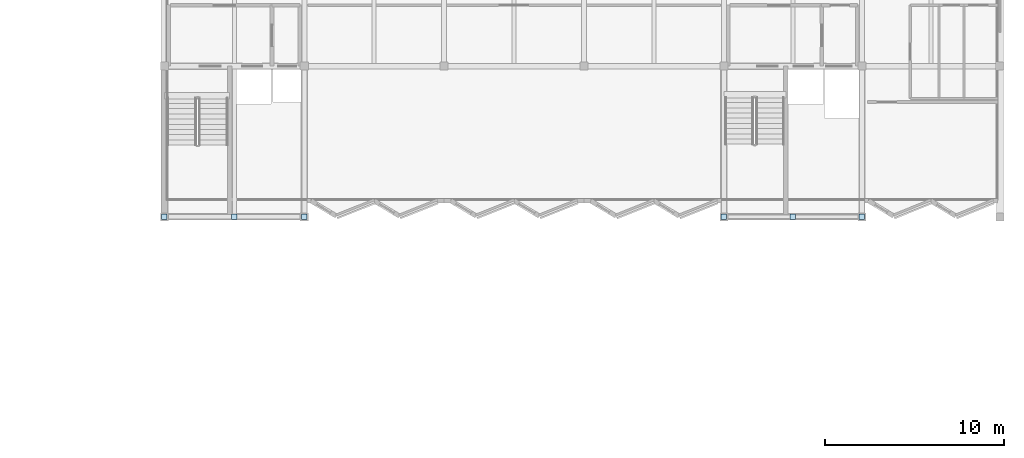
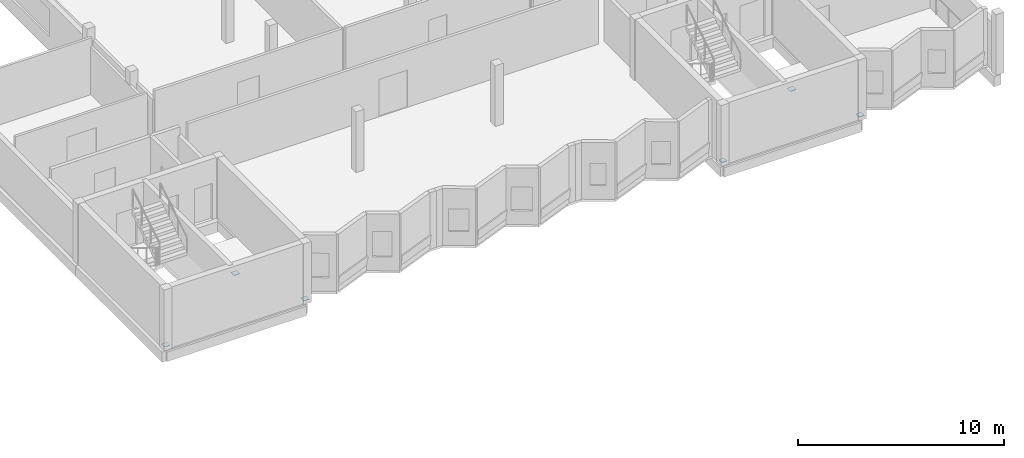
# One storey, part 13 of 25: 6 plates.
"""IFC4 building model written with IfcOpenShell, lengths in metres."""

from ifc_helpers import new_model, si_unit, direction, frame, origin, origin_2d, place, context, subcontext, project, spatial, rectangle, extrude, material, layer, layer_set, type_object, element, save


model = new_model("IFC4")

# Units and contexts
model_context = context("Model", 3, precision=1e-05, world=origin(), true_north=direction((0.0, 1.0)))
body_context = subcontext(model_context, "Body", "Model", "MODEL_VIEW")
ifc_project = project(units=[si_unit("LENGTHUNIT", "METRE"), si_unit("AREAUNIT", "SQUARE_METRE"), si_unit("VOLUMEUNIT", "CUBIC_METRE"), si_unit("PLANEANGLEUNIT", "RADIAN"), si_unit("MASSUNIT", "GRAM", prefix="KILO")], contexts=[model_context])

# Site, building, storey
site_placement = place(None, origin())
site = spatial("IfcSite", under=ifc_project, at=site_placement, CompositionType="ELEMENT")
building_placement = place(site_placement, origin())
building = spatial("IfcBuilding", under=site, at=building_placement, Name="Vharandega Faculty of Natural Sciences", CompositionType="ELEMENT")
storey_placement = place(building_placement, frame((0.0, 0.0, 25.199951171875)))
storey = spatial("IfcBuildingStorey", under=building, at=storey_placement, Name="L06", CompositionType="ELEMENT", Elevation=25.199951171875)

# Plates
ifc_material = material(Name="Steel S355", Category="steel")
ifc_layer = layer(ifc_material, 0.02490234375, Name="Steel S355")
ifc_layer_set = layer_set([ifc_layer], Name="Steel S355")
plate_type = type_object("IfcPlateType", Name="Hollow Section End Cap Plate 25mm", PredefinedType="USERDEFINED", material=ifc_layer_set)
plate_1_placement = place(storey_placement, frame((114.800048828125, 64.0, 0.1376953125), z_axis=(0.0, 0.0, 1.0), x_axis=(1.0, 0.0, 0.0)))
element("IfcPlate", 1, at=plate_1_placement, inside=storey, type_object=plate_type, Name="Node Cap Plate CHV-J-L06 #71", ObjectType="CAP PLATE", PredefinedType="USERDEFINED", context=body_context, shape_type="SweptSolid", body=[
    extrude(rectangle(XDim=0.300048828125, YDim=0.300048828125, at=origin_2d()), origin(), (0.0, 0.0, 1.0), 0.02490234375),
])
plate_2_placement = place(storey_placement, frame((118.699951171875, 64.0, 3.017578125), z_axis=(0.0, 0.0, 1.0), x_axis=(1.0, 0.0, 0.0)))
element("IfcPlate", 2, at=plate_2_placement, inside=storey, type_object=plate_type, Name="Node Cap Plate CHV-J-L06 #72", ObjectType="CAP PLATE", PredefinedType="USERDEFINED", context=body_context, shape_type="SweptSolid", body=[
    extrude(rectangle(XDim=0.320068359375, YDim=0.320068359375, at=origin_2d()), origin(), (0.0, 0.0, 1.0), 0.02490234375),
])
for number, where, z_axis, x_axis, name in (
    (3, (122.60009765625, 64.0, 0.1376953125), (0.0, 0.0, 1.0), (1.0, 0.0, 0.0), "Node Cap Plate CHV-J-L06 #73"),
    (4, (146.0, 64.0, 0.1376953125), (0.0, 0.0, 1.0), (1.0, 0.0, 0.0), "Node Cap Plate CHV-J2-L06 #101"),
):
    element("IfcPlate", number, at=place(storey_placement, frame(where, z_axis=z_axis, x_axis=x_axis)), inside=storey, type_object=plate_type, Name=name, ObjectType="CAP PLATE", PredefinedType="USERDEFINED", context=body_context, shape_type="SweptSolid", body=[
        extrude(rectangle(XDim=0.300048828125, YDim=0.300048828125, at=origin_2d()), origin(), (0.0, 0.0, 1.0), 0.02490234375),
    ])
plate_3_placement = place(storey_placement, frame((149.85009765625, 64.0, 3.017578125), z_axis=(0.0, 0.0, 1.0), x_axis=(1.0, 0.0, 0.0)))
element("IfcPlate", 5, at=plate_3_placement, inside=storey, type_object=plate_type, Name="Node Cap Plate CHV-J2-L06 #102", ObjectType="CAP PLATE", PredefinedType="USERDEFINED", context=body_context, shape_type="SweptSolid", body=[
    extrude(rectangle(XDim=0.320068359375, YDim=0.320068359375, at=origin_2d()), origin(), (0.0, 0.0, 1.0), 0.02490234375),
])
plate_4_placement = place(storey_placement, frame((153.699951171875, 64.0, 0.1376953125), z_axis=(0.0, 0.0, 1.0), x_axis=(1.0, 0.0, 0.0)))
element("IfcPlate", 6, at=plate_4_placement, inside=storey, type_object=plate_type, Name="Node Cap Plate CHV-J2-L06 #103", ObjectType="CAP PLATE", PredefinedType="USERDEFINED", context=body_context, shape_type="SweptSolid", body=[
    extrude(rectangle(XDim=0.300048828125, YDim=0.300048828125, at=origin_2d()), origin(), (0.0, 0.0, 1.0), 0.02490234375),
])

save(model, "model.ifc")
